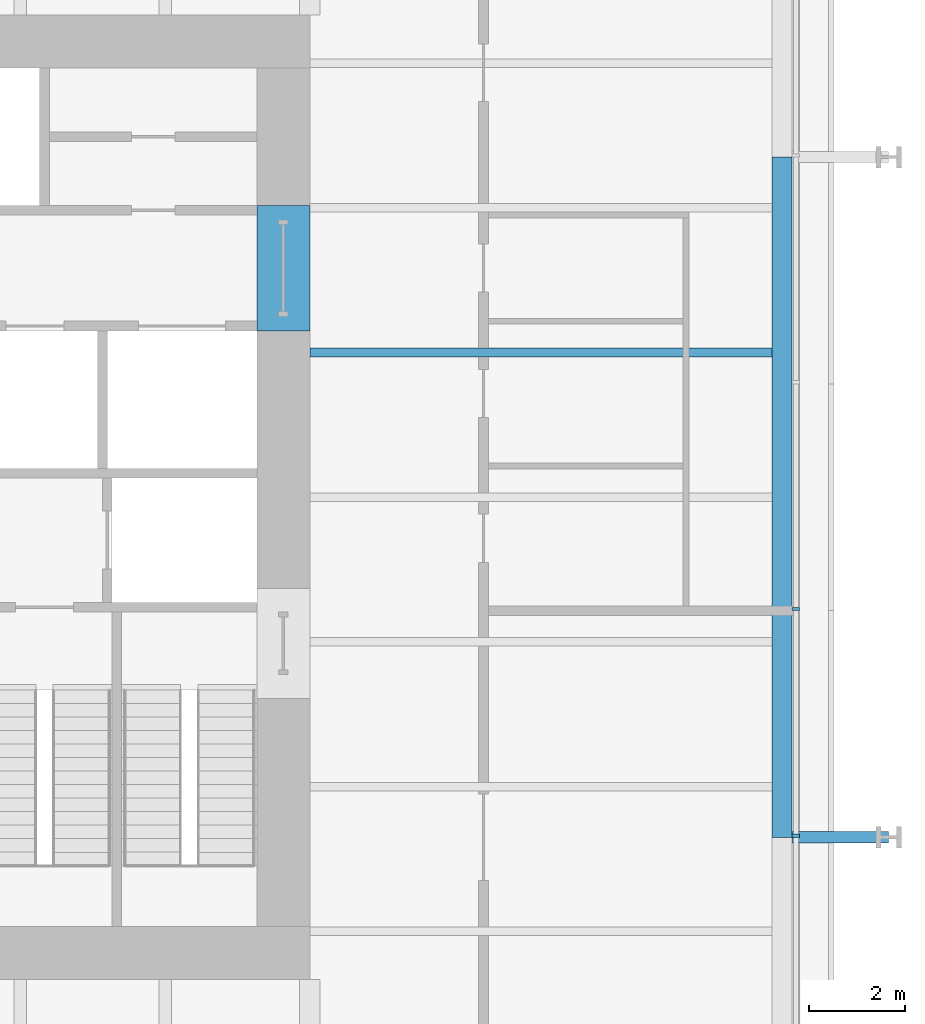
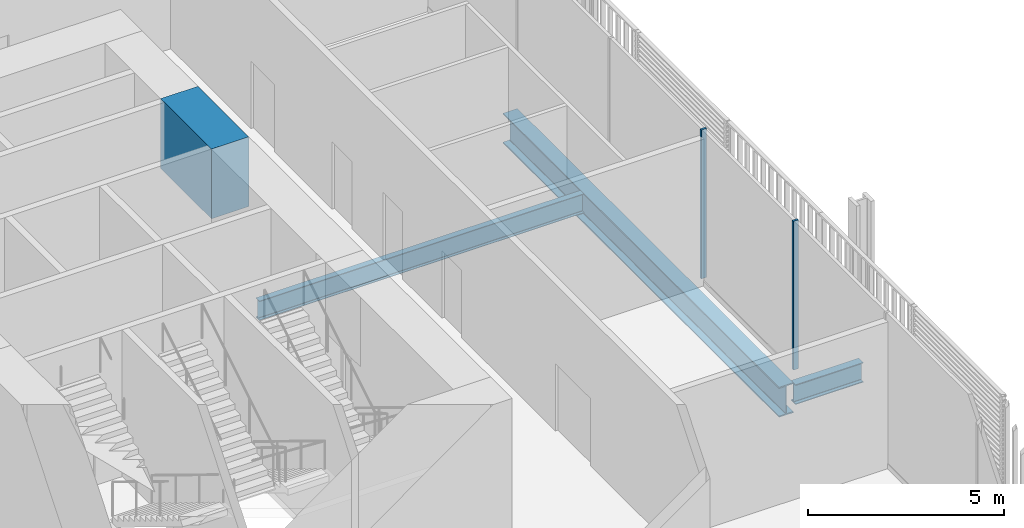
# One storey, part 9 of 22: 4 beams, 2 members, 1 element without a shape of its own.
"""IFC4 building model written with IfcOpenShell, lengths in metres."""

from ifc_helpers import new_model, si_unit, direction, frame, origin, origin_2d, place, context, subcontext, project, spatial, rectangle, i_section, extrude, material, layer, layer_set, material_profile, profile_set, type_object, element, aggregate, save


model = new_model("IFC4")

# Units and contexts
model_context = context("Model", 3, precision=1e-05, world=origin(), true_north=direction((0.0, 1.0)))
body_context = subcontext(model_context, "Body", "Model", "MODEL_VIEW")
ifc_project = project(units=[si_unit("LENGTHUNIT", "METRE"), si_unit("AREAUNIT", "SQUARE_METRE"), si_unit("VOLUMEUNIT", "CUBIC_METRE"), si_unit("PLANEANGLEUNIT", "RADIAN"), si_unit("MASSUNIT", "GRAM", prefix="KILO")], contexts=[model_context])

# Site, building, storey
site_placement = place(None, origin())
site = spatial("IfcSite", under=ifc_project, at=site_placement, CompositionType="ELEMENT")
building_placement = place(site_placement, origin())
building = spatial("IfcBuilding", under=site, at=building_placement, Name="Millrace Tower", CompositionType="ELEMENT")
storey_placement = place(building_placement, frame((0.0, 0.0, 40.10009765625)))
storey = spatial("IfcBuildingStorey", under=building, at=storey_placement, Name="L09", CompositionType="ELEMENT", Elevation=40.10009765625)

# Curtain wall, members
ifc_material_1 = material(Name="Aluminium and glass", Category="aluminium")
ifc_layer = layer(ifc_material_1, 0.14990234375)
ifc_layer_set = layer_set([ifc_layer], Name="Aluminium and glass")
curtain_wall_type = type_object("IfcCurtainWallType", Name="CW-2 data hall insulated curtain wall", PredefinedType="NOTDEFINED", material=ifc_layer_set)
curtain_wall_placement = place(storey_placement, origin())
curtain_wall = element("IfcCurtainWall", 1, at=curtain_wall_placement, inside=storey, type_object=curtain_wall_type, Name="Curtain wall A-F04 L09", PredefinedType="NOTDEFINED")
ifc_material_2 = material(Name="Aluminium", Category="aluminium")
ifc_material_profile_1 = material_profile(ifc_material_2, rectangle(XDim=0.06494140625, YDim=0.14990234375, at=origin_2d()))
ifc_profile_set_1 = profile_set([ifc_material_profile_1], Name="Aluminium")
member_type = type_object("IfcMemberType", Name="CW-2 data hall insulated curtain wall mullion", PredefinedType="MULLION", material=ifc_profile_set_1)
member_1_placement = place(storey_placement, frame((25.074951171875, -7.017578125, 0.159912109375), z_axis=(0.0, 0.0, 1.0), x_axis=(0.0, 1.0, 0.0)))
member_1 = element("IfcMember", 2, at=member_1_placement, type_object=member_type, Name="CW2 mullion A-F04.4", PredefinedType="MULLION", context=body_context, shape_type="SweptSolid", body=[
    extrude(rectangle(XDim=0.06494140625, YDim=0.14990234375, at=origin_2d()), origin(), (0.0, 0.0, 1.0), 4.639892578125),
])
member_2_placement = place(storey_placement, frame((25.074951171875, -2.3173828125, 0.159912109375), z_axis=(0.0, 0.0, 1.0), x_axis=(0.0, 1.0, 0.0)))
member_2 = element("IfcMember", 3, at=member_2_placement, type_object=member_type, Name="CW2 mullion A-F04.5", PredefinedType="MULLION", context=body_context, shape_type="SweptSolid", body=[
    extrude(rectangle(XDim=0.06494140625, YDim=0.14990234375, at=origin_2d()), origin(), (0.0, 0.0, 1.0), 4.639892578125),
])
aggregate(curtain_wall, [member_1, member_2])

# Beams
ifc_material_3 = material(Name="Concrete C80", Category="concrete")
ifc_material_profile_2 = material_profile(ifc_material_3, rectangle(XDim=1.10009765625, YDim=2.175048828125, at=origin_2d()))
ifc_profile_set_2 = profile_set([ifc_material_profile_2], Name="Concrete C80")
beam_type_1 = type_object("IfcBeamType", Name="Coupling beam 1100 x 2175 Concrete C80, 2000 opening", PredefinedType="BEAM", material=ifc_profile_set_2)
beam_1_placement = place(storey_placement, frame((14.449951171875, 6.050048828125, 3.4873046875), z_axis=(0.0, -1.0, 0.0), x_axis=(1.0, 0.0, 0.0)))
element("IfcBeam", 4, at=beam_1_placement, inside=storey, type_object=beam_type_1, Name="Coupling beam E L09", PredefinedType="BEAM", context=body_context, shape_type="SweptSolid", body=[
    extrude(rectangle(XDim=1.10009765625, YDim=2.175048828125, at=origin_2d()), origin(), (0.0, 0.0, 1.0), 2.60009765625),
])
ifc_material_4 = material(Name="Steel ASTM A992 Grade 50", Category="steel")
ifc_material_profile_3 = material_profile(ifc_material_4, i_section(OverallWidth=0.1787109375, OverallDepth=0.60205078125, WebThickness=0.010986328125, FlangeThickness=0.014892578125, FilletRadius=0.0126953125, at=origin_2d()))
ifc_profile_set_3 = profile_set([ifc_material_profile_3], Name="Steel ASTM A992 Grade 50")
beam_type_2 = type_object("IfcBeamType", Name="Floor beam W24x62", PredefinedType="JOIST", material=ifc_profile_set_3)
beam_2_placement = place(storey_placement, frame((15.0, 3.0, -0.526123046875), z_axis=(1.0, 0.0, 0.0), x_axis=(0.0, 1.0, 0.0)))
element("IfcBeam", 5, at=beam_2_placement, inside=storey, type_object=beam_type_2, Name="BM-A-L09-S1-S025", PredefinedType="JOIST", context=body_context, shape_type="SweptSolid", body=[
    extrude(i_section(OverallWidth=0.1787109375, OverallDepth=0.60205078125, WebThickness=0.010986328125, FlangeThickness=0.014892578125, FilletRadius=0.0126953125, at=origin_2d()), origin(), (0.0, 0.0, 1.0), 9.578369140625),
])
ifc_material_5 = material(Name="Steel ASTM A992 Grade 50", Category="steel")
ifc_material_profile_4 = material_profile(ifc_material_5, i_section(OverallWidth=0.23046875, OverallDepth=0.6171875, WebThickness=0.01318359375, FlangeThickness=0.022216796875, FilletRadius=0.012939453125, at=origin_2d()))
ifc_profile_set_4 = profile_set([ifc_material_profile_4], Name="Steel ASTM A992 Grade 50")
beam_type_3 = type_object("IfcBeamType", Name="Link beam W24x94", PredefinedType="BEAM", material=ifc_profile_set_4)
beam_3_placement = place(storey_placement, frame((25.0, -7.050048828125, -0.53369140625), z_axis=(1.0, 0.0, 0.0), x_axis=(0.0, 1.0, 0.0)))
element("IfcBeam", 6, at=beam_3_placement, inside=storey, type_object=beam_type_3, Name="LNK-A-L09-S1-11", PredefinedType="BEAM", context=body_context, shape_type="SweptSolid", body=[
    extrude(i_section(OverallWidth=0.23046875, OverallDepth=0.6171875, WebThickness=0.01318359375, FlangeThickness=0.022216796875, FilletRadius=0.012939453125, at=origin_2d()), origin(), (0.0, 0.0, 1.0), 2.0),
])
ifc_material_6 = material(Name="Steel ASTM A992 Grade 50", Category="steel")
ifc_material_profile_5 = material_profile(ifc_material_6, i_section(OverallWidth=0.421630859375, OverallDepth=0.937255859375, WebThickness=0.021240234375, FlangeThickness=0.03662109375, FilletRadius=0.024169921875, at=origin_2d()))
ifc_profile_set_5 = profile_set([ifc_material_profile_5], Name="Steel ASTM A992 Grade 50")
beam_type_4 = type_object("IfcBeamType", Name="Ring beam medium span W36x262", PredefinedType="SPANDREL", material=ifc_profile_set_5)
beam_4_placement = place(storey_placement, frame((24.7890625, 7.050048828125, -0.69384765625), z_axis=(0.0, -1.0, 0.0), x_axis=(1.0, 0.0, 0.0)))
element("IfcBeam", 7, at=beam_4_placement, inside=storey, type_object=beam_type_4, Name="RNG-A-L09-S1-10", PredefinedType="SPANDREL", context=body_context, shape_type="SweptSolid", body=[
    extrude(i_section(OverallWidth=0.421630859375, OverallDepth=0.937255859375, WebThickness=0.021240234375, FlangeThickness=0.03662109375, FilletRadius=0.024169921875, at=origin_2d()), origin(), (0.0, 0.0, 1.0), 14.10009765625),
])

save(model, "model.ifc")
